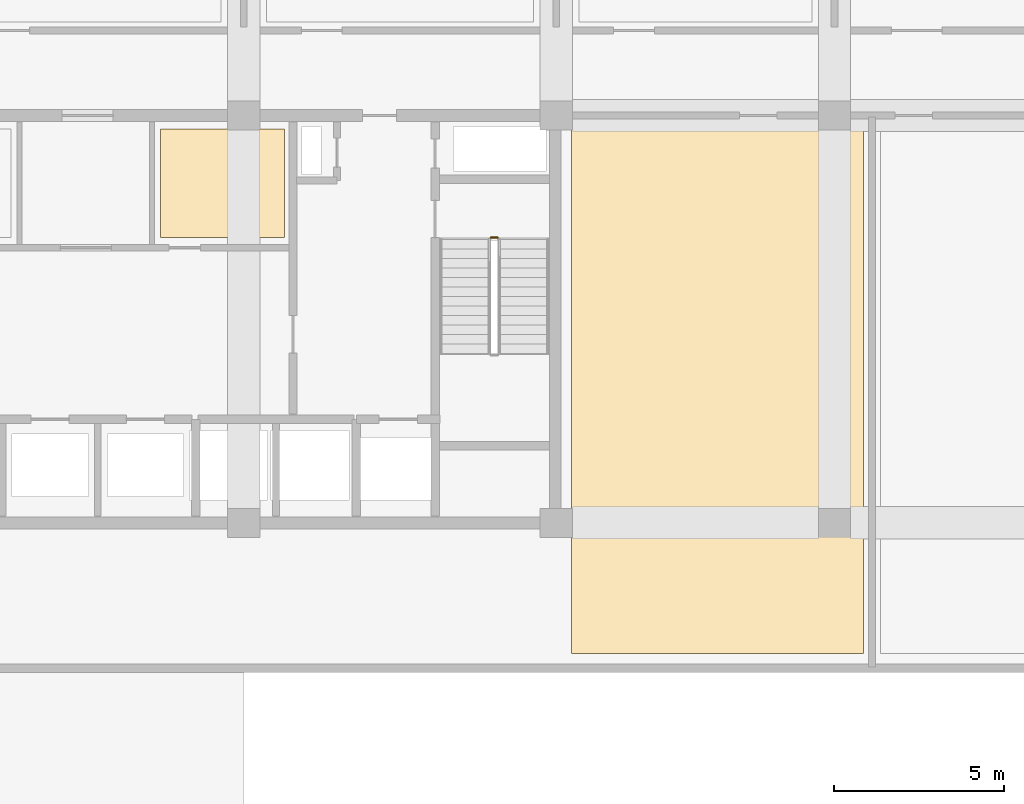
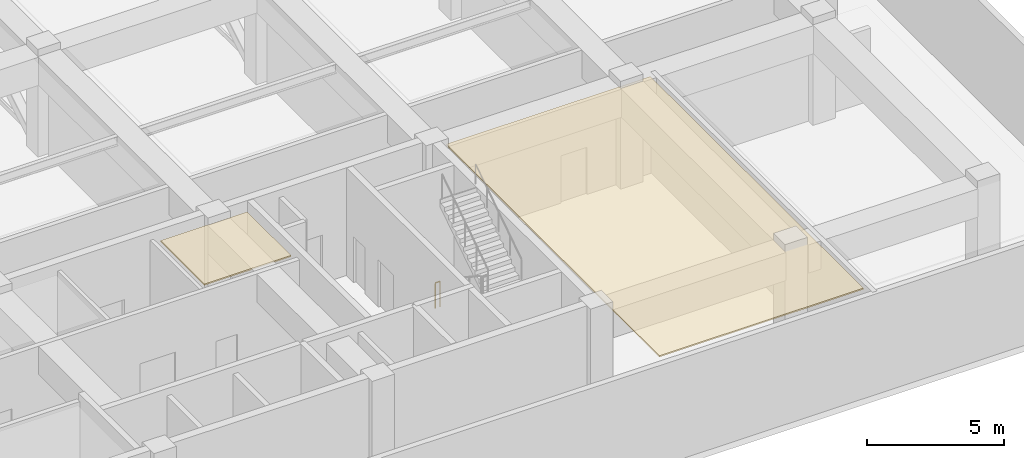
# One storey, part 21 of 22: 2 coverings, 1 railing.
"""IFC4 building model written with IfcOpenShell, lengths in metres."""

from ifc_helpers import new_model, si_unit, direction, frame, origin, origin_2d, place, context, subcontext, project, spatial, polyline, circle, outline, extrude, material, layer, layer_set, type_object, element, save


model = new_model("IFC4")

# Units and contexts
model_context = context("Model", 3, precision=1e-05, world=origin(), true_north=direction((0.0, 1.0)))
body_context = subcontext(model_context, "Body", "Model", "MODEL_VIEW")
ifc_project = project(units=[si_unit("LENGTHUNIT", "METRE"), si_unit("AREAUNIT", "SQUARE_METRE"), si_unit("VOLUMEUNIT", "CUBIC_METRE"), si_unit("PLANEANGLEUNIT", "RADIAN"), si_unit("MASSUNIT", "GRAM", prefix="KILO")], contexts=[model_context])

# Site, building, storey
site_placement = place(None, origin())
site = spatial("IfcSite", under=ifc_project, at=site_placement, CompositionType="ELEMENT")
building_placement = place(site_placement, origin())
building = spatial("IfcBuilding", under=site, at=building_placement, Name="Korimba Cascade Residences", CompositionType="ELEMENT")
storey_placement = place(building_placement, frame((0.0, 0.0, 157.300048828125)))
storey = spatial("IfcBuildingStorey", under=building, at=storey_placement, Name="L45", CompositionType="ELEMENT", Elevation=157.300048828125)

# Coverings
ifc_material_1 = material(Name="Mineral Wool Thermal Acoustic Insulation", Category="insulation")
ifc_layer = layer(ifc_material_1, 0.06005859375)
ifc_layer_set = layer_set([ifc_layer], Name="Mineral Wool Thermal Acoustic Insulation")
covering_type = type_object("IfcCoveringType", Name="COV-INS-60", PredefinedType="INSULATION", material=ifc_layer_set)
covering_1_placement = place(storey_placement, frame((0.0, 0.0, 4.419921875)))
element("IfcCovering", 1, at=covering_1_placement, inside=storey, type_object=covering_type, Name="L45 Mineral Wool Acoustic Soffit Insulation L45-BS1", PredefinedType="INSULATION", context=body_context, shape_type="SweptSolid", body=[
    extrude(outline(polyline([(100.449951171875, 63.60009765625), (104.10009765625, 63.60009765625), (104.10009765625, 66.800048828125), (100.449951171875, 66.800048828125), (100.449951171875, 63.60009765625)])), origin(), (0.0, 0.0, 1.0), 0.06005859375),
])
covering_2_placement = place(storey_placement, frame((0.0, 0.0, 4.419921875)))
element("IfcCovering", 2, at=covering_2_placement, inside=storey, type_object=covering_type, Name="L45 Mineral Wool Acoustic Soffit Insulation L45-RWE1", PredefinedType="INSULATION", context=body_context, shape_type="SweptSolid", body=[
    extrude(outline(polyline([(112.550048828125, 51.35009765625), (121.14990234375, 51.35009765625), (121.14990234375, 66.89990234375), (112.550048828125, 66.89990234375), (112.550048828125, 51.35009765625)])), origin(), (0.0, 0.0, 1.0), 0.06005859375),
])

# Railing
ifc_material_2 = material(Name="Painted Steel Stairwell Guardrail", Category="steel")
railing_type = type_object("IfcRailingType", Name="RLG-ST-GD1150", PredefinedType="GUARDRAIL", material=ifc_material_2)
railing_placement = place(storey_placement, frame((110.179931640625, 63.60009765625, 0.0)))
element("IfcRailing", 3, at=railing_placement, inside=storey, type_object=railing_type, Name="L45 ST-W2 stair guard 4", PredefinedType="GUARDRAIL", context=body_context, shape_type="SweptSolid", body=[
    extrude(circle(Radius=0.02392578125, at=origin_2d()), frame((0.0, 0.0, 1.1259765625), z_axis=(1.0, 0.0, 0.0), x_axis=(0.0, 1.0, 0.0)), (0.0, 0.0, 1.0), 0.199951171875),
    extrude(circle(Radius=0.02099609375, at=origin_2d()), origin(), (0.0, 0.0, 1.0), 1.101806640625),
    extrude(circle(Radius=0.02099609375, at=origin_2d()), frame((0.199951171875, 0.0, 0.0)), (0.0, 0.0, 1.0), 1.101806640625),
])

save(model, "model.ifc")
